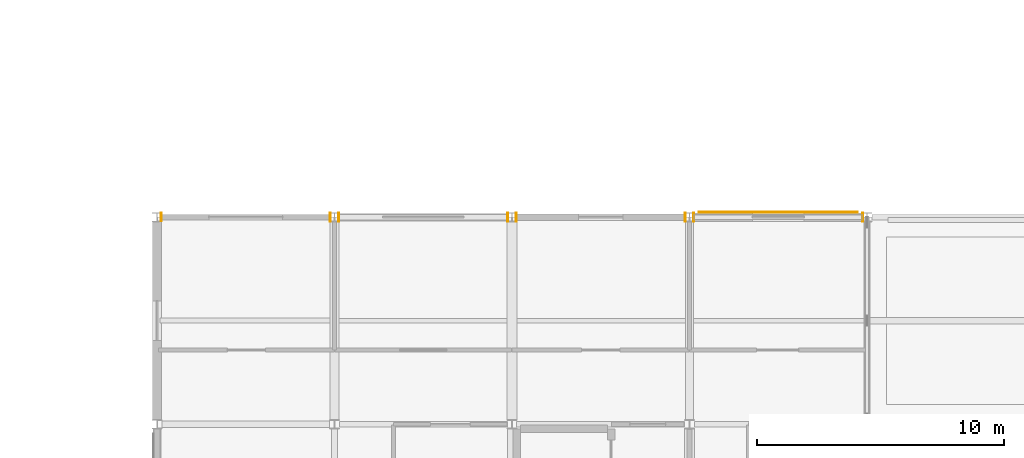
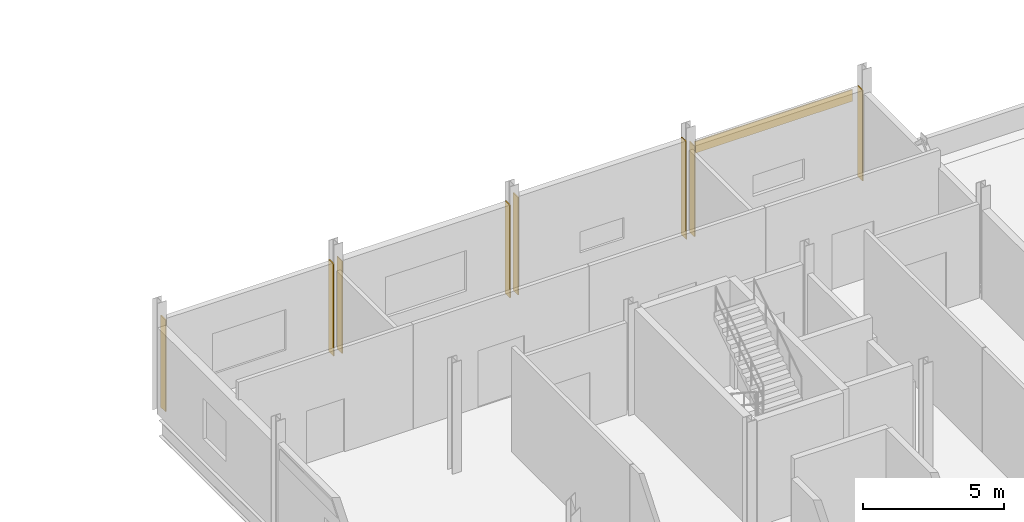
# One storey, part 68 of 72: 9 coverings.
"""IFC4 building model written with IfcOpenShell, lengths in metres."""

from ifc_helpers import new_model, si_unit, direction, frame, origin, origin_2d, place, context, subcontext, project, spatial, polyline, rectangle, outline, extrude, material, layer, layer_set, type_object, element, save


model = new_model("IFC4")

# Units and contexts
model_context = context("Model", 3, precision=1e-05, world=origin(), true_north=direction((0.0, 1.0)))
body_context = subcontext(model_context, "Body", "Model", "MODEL_VIEW")
ifc_project = project(units=[si_unit("LENGTHUNIT", "METRE"), si_unit("AREAUNIT", "SQUARE_METRE"), si_unit("VOLUMEUNIT", "CUBIC_METRE"), si_unit("PLANEANGLEUNIT", "RADIAN"), si_unit("MASSUNIT", "GRAM", prefix="KILO")], contexts=[model_context])

# Site, building, storey
site_placement = place(None, origin())
site = spatial("IfcSite", under=ifc_project, at=site_placement, CompositionType="ELEMENT")
building_placement = place(site_placement, origin())
building = spatial("IfcBuilding", under=site, at=building_placement, Name="Calvrana Isthmian Art Gallery", CompositionType="ELEMENT")
storey_placement = place(building_placement, frame((0.0, 0.0, 15.0)))
storey = spatial("IfcBuildingStorey", under=building, at=storey_placement, Name="L03", CompositionType="ELEMENT", Elevation=15.0)

# Coverings
ifc_material = material(Name="Polychrome glazed terracotta", Category="masonry")
ifc_layer = layer(ifc_material, 0.0400390625, Name="Polychrome glazed terracotta")
ifc_layer_set = layer_set([ifc_layer], Name="Polychrome glazed terracotta")
covering_type = type_object("IfcCoveringType", Name="COV-CLAD-TERRA", PredefinedType="CLADDING", material=ifc_layer_set)
covering_1_placement = place(storey_placement, origin())
element("IfcCovering", 1, at=covering_1_placement, inside=storey, type_object=covering_type, Name="Column pocket weather closure L03-14-06-W", PredefinedType="CLADDING", context=body_context, shape_type="SweptSolid", body=[
    extrude(outline(polyline([(112.944091796875, 46.626953125), (112.98388671875, 46.626953125), (112.98388671875, 46.972900390625), (112.944091796875, 46.972900390625), (112.944091796875, 46.626953125)])), origin(), (0.0, 0.0, 1.0), 3.970947265625),
])
covering_2_placement = place(storey_placement, origin())
element("IfcCovering", 2, at=covering_2_placement, inside=storey, type_object=covering_type, Name="Column pocket weather closure L03-14-06-E", PredefinedType="CLADDING", context=body_context, shape_type="SweptSolid", body=[
    extrude(outline(polyline([(119.8134765625, 46.618408203125), (119.853515625, 46.618408203125), (119.853515625, 46.9814453125), (119.8134765625, 46.9814453125), (119.8134765625, 46.618408203125)])), origin(), (0.0, 0.0, 1.0), 3.970947265625),
])
covering_3_placement = place(storey_placement, origin())
element("IfcCovering", 3, at=covering_3_placement, inside=storey, type_object=covering_type, Name="Column pocket weather closure L03-15-06-W", PredefinedType="CLADDING", context=body_context, shape_type="SweptSolid", body=[
    extrude(outline(polyline([(120.146484375, 46.618408203125), (120.1865234375, 46.618408203125), (120.1865234375, 46.9814453125), (120.146484375, 46.9814453125), (120.146484375, 46.618408203125)])), origin(), (0.0, 0.0, 1.0), 3.987060546875),
])
covering_4_placement = place(storey_placement, origin())
element("IfcCovering", 4, at=covering_4_placement, inside=storey, type_object=covering_type, Name="Column pocket weather closure L03-15-06-E", PredefinedType="CLADDING", context=body_context, shape_type="SweptSolid", body=[
    extrude(outline(polyline([(127.013427734375, 46.62109375), (127.053466796875, 46.62109375), (127.053466796875, 46.97900390625), (127.013427734375, 46.97900390625), (127.013427734375, 46.62109375)])), origin(), (0.0, 0.0, 1.0), 3.987060546875),
])
covering_5_placement = place(storey_placement, origin())
element("IfcCovering", 5, at=covering_5_placement, inside=storey, type_object=covering_type, Name="Column pocket weather closure L03-16-06-W", PredefinedType="CLADDING", context=body_context, shape_type="SweptSolid", body=[
    extrude(outline(polyline([(127.346435546875, 46.62109375), (127.386474609375, 46.62109375), (127.386474609375, 46.97900390625), (127.346435546875, 46.97900390625), (127.346435546875, 46.62109375)])), origin(), (0.0, 0.0, 1.0), 4.215087890625),
])
covering_6_placement = place(storey_placement, origin())
element("IfcCovering", 6, at=covering_6_placement, inside=storey, type_object=covering_type, Name="Column pocket weather closure L03-16-06-E", PredefinedType="CLADDING", context=body_context, shape_type="SweptSolid", body=[
    extrude(outline(polyline([(134.214599609375, 46.62353515625), (134.25439453125, 46.62353515625), (134.25439453125, 46.9765625), (134.214599609375, 46.9765625), (134.214599609375, 46.62353515625)])), origin(), (0.0, 0.0, 1.0), 4.215087890625),
])
covering_7_placement = place(storey_placement, origin())
element("IfcCovering", 7, at=covering_7_placement, inside=storey, type_object=covering_type, Name="Column pocket weather closure L03-17-06-W", PredefinedType="CLADDING", context=body_context, shape_type="SweptSolid", body=[
    extrude(outline(polyline([(134.54541015625, 46.62353515625), (134.58544921875, 46.62353515625), (134.58544921875, 46.9765625), (134.54541015625, 46.9765625), (134.54541015625, 46.62353515625)])), origin(), (0.0, 0.0, 1.0), 3.9130859375),
])
covering_8_placement = place(storey_placement, origin())
element("IfcCovering", 8, at=covering_8_placement, inside=storey, type_object=covering_type, Name="Column pocket weather closure L03-17-06-E", PredefinedType="CLADDING", context=body_context, shape_type="SweptSolid", body=[
    extrude(outline(polyline([(141.416015625, 46.625), (141.4560546875, 46.625), (141.4560546875, 46.97509765625), (141.416015625, 46.97509765625), (141.416015625, 46.625)])), origin(), (0.0, 0.0, 1.0), 3.9130859375),
])
covering_9_placement = place(storey_placement, frame((138.000732421875, 46.992919921875, 3.31298828125), z_axis=(0.0, 0.0, 1.0), x_axis=(1.0, 0.0, 0.0)))
element("IfcCovering", 9, at=covering_9_placement, inside=storey, type_object=covering_type, Name="Terracotta spandrel cladding 155", PredefinedType="CLADDING", context=body_context, shape_type="SweptSolid", body=[
    extrude(rectangle(XDim=6.430419921875, YDim=0.0400390625, at=origin_2d()), origin(), (0.0, 0.0, 1.0), 0.5),
])

save(model, "model.ifc")
